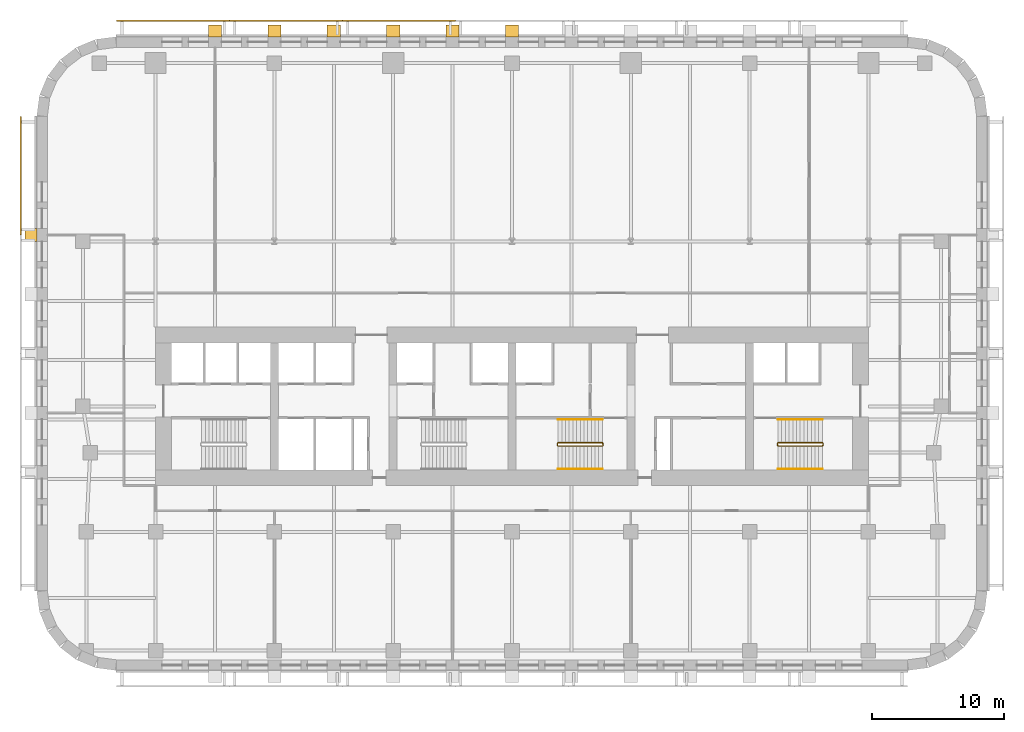
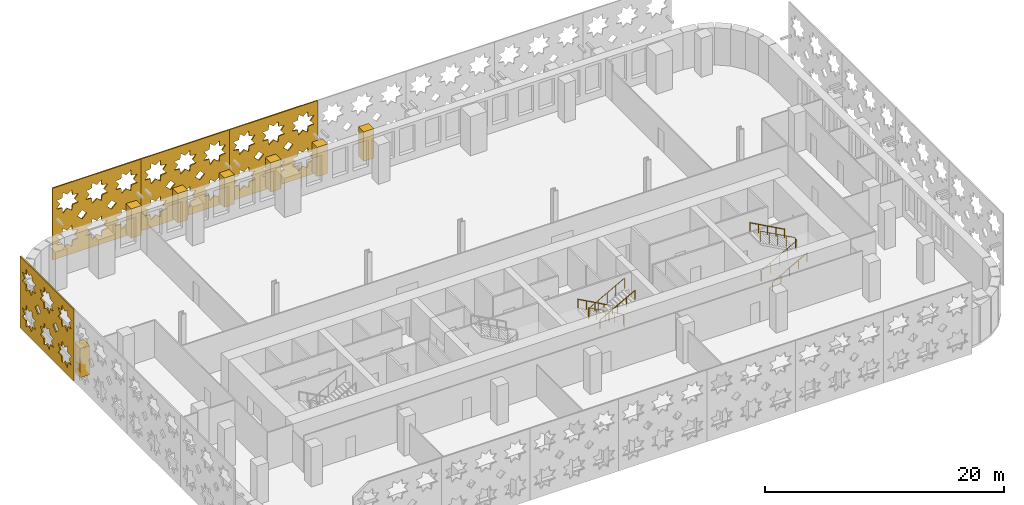
# One storey, part 11 of 13: 11 coverings, 6 railings.
"""IFC4 building model written with IfcOpenShell, lengths in metres."""

from ifc_helpers import new_model, si_unit, direction, frame, origin, origin_2d, place, context, subcontext, project, spatial, polyline, circle, outline, extrude, material, layer, layer_set, type_object, element, save


model = new_model("IFC4")

# Units and contexts
model_context = context("Model", 3, precision=1e-05, world=origin(), true_north=direction((0.0, 1.0)))
body_context = subcontext(model_context, "Body", "Model", "MODEL_VIEW")
ifc_project = project(units=[si_unit("LENGTHUNIT", "METRE"), si_unit("AREAUNIT", "SQUARE_METRE"), si_unit("VOLUMEUNIT", "CUBIC_METRE"), si_unit("PLANEANGLEUNIT", "RADIAN"), si_unit("MASSUNIT", "GRAM", prefix="KILO")], contexts=[model_context])

# Site, building, storey
site_placement = place(None, origin())
site = spatial("IfcSite", under=ifc_project, at=site_placement, CompositionType="ELEMENT")
building_placement = place(site_placement, origin())
building = spatial("IfcBuilding", under=site, at=building_placement, Name="Zellij Exchange Tower", CompositionType="ELEMENT")
storey_placement = place(building_placement, frame((0.0, 0.0, 60.5)))
storey = spatial("IfcBuildingStorey", under=building, at=storey_placement, Name="L11", CompositionType="ELEMENT", Elevation=60.5)

# Railings
ifc_material_1 = material(Name="Stainless steel", Category="steel")
railing_type_1 = type_object("IfcRailingType", Name="CORE-RG stair guard", PredefinedType="GUARDRAIL", material=ifc_material_1)
railing_1_placement = place(storey_placement, frame((6.89990234375, -10.800048828125, 0.0)))
element("IfcRailing", 1, at=railing_1_placement, inside=storey, type_object=railing_type_1, Name="ST3 stair guard L11", PredefinedType="GUARDRAIL", context=body_context, shape_type="SweptSolid", body=[
    extrude(circle(Radius=0.02392578125, at=origin_2d()), frame((0.0, 0.0, 1.076171875), z_axis=(0.0, -1.0, 0.0), x_axis=(1.0, 0.0, 0.0)), (0.0, 0.0, 1.0), 0.14990234375),
    extrude(circle(Radius=0.02392578125, at=origin_2d()), frame((0.0, -0.14990234375, 1.076171875), z_axis=(-0.193691321961, 0.777613689637, 0.598164376644), x_axis=(-0.970351222016, -0.241699205484, 0.0)), (0.0, 0.0, 1.0), 0.257080078125),
    extrude(circle(Radius=0.02392578125, at=origin_2d()), frame((-0.0498046875, 0.050048828125, 1.22998046875), z_axis=(-0.876421534553, 0.0, 0.481544695509), x_axis=(0.0, -1.0, 0.0)), (0.0, 0.0, 1.0), 3.833984375),
    extrude(circle(Radius=0.02392578125, at=origin_2d()), frame((-3.409912109375, 0.050048828125, 3.076171875), z_axis=(-0.707106781187, -0.707106781187, 0.0), x_axis=(0.707106781187, -0.707106781187, 0.0)), (0.0, 0.0, 1.0), 0.07080078125),
    extrude(circle(Radius=0.02392578125, at=origin_2d()), frame((-3.4599609375, 0.0, 3.076171875), z_axis=(0.0, -1.0, 0.0), x_axis=(1.0, 0.0, 0.0)), (0.0, 0.0, 1.0), 0.14990234375),
    extrude(circle(Radius=0.02392578125, at=origin_2d()), frame((-3.4599609375, -0.14990234375, 3.076171875), z_axis=(0.295599637079, -0.295599637079, 0.908428152975), x_axis=(0.707106781187, 0.707106781187, 0.0)), (0.0, 0.0, 1.0), 0.16943359375),
    extrude(circle(Radius=0.02392578125, at=origin_2d()), frame((-3.409912109375, -0.199951171875, 3.22998046875), z_axis=(0.876421534553, 0.0, 0.481544695509), x_axis=(0.0, 1.0, 0.0)), (0.0, 0.0, 1.0), 3.833984375),
    extrude(circle(Radius=0.02099609375, at=origin_2d()), origin(), (0.0, 0.0, 1.0), 1.052001953125),
    extrude(circle(Radius=0.02099609375, at=origin_2d()), frame((0.0, -0.14990234375, 0.0)), (0.0, 0.0, 1.0), 1.052001953125),
    extrude(circle(Radius=0.02099609375, at=origin_2d()), frame((-0.0498046875, 0.050048828125, 0.15380859375)), (0.0, 0.0, 1.0), 1.052001953125),
    extrude(circle(Radius=0.02099609375, at=origin_2d()), frame((-0.889892578125, 0.050048828125, 0.615234375)), (0.0, 0.0, 1.0), 1.052001953125),
    extrude(circle(Radius=0.02099609375, at=origin_2d()), frame((-1.72998046875, 0.050048828125, 1.076904296875)), (0.0, 0.0, 1.0), 1.052001953125),
    extrude(circle(Radius=0.02099609375, at=origin_2d()), frame((-2.56982421875, 0.050048828125, 1.53857421875)), (0.0, 0.0, 1.0), 1.052001953125),
    extrude(circle(Radius=0.02099609375, at=origin_2d()), frame((-3.409912109375, 0.050048828125, 2.0)), (0.0, 0.0, 1.0), 1.052001953125),
    extrude(circle(Radius=0.02099609375, at=origin_2d()), frame((-3.4599609375, 0.0, 2.0)), (0.0, 0.0, 1.0), 1.052001953125),
    extrude(circle(Radius=0.02099609375, at=origin_2d()), frame((-3.4599609375, -0.14990234375, 2.0)), (0.0, 0.0, 1.0), 1.052001953125),
    extrude(circle(Radius=0.02099609375, at=origin_2d()), frame((-3.409912109375, -0.199951171875, 2.15380859375)), (0.0, 0.0, 1.0), 1.052001953125),
    extrude(circle(Radius=0.02099609375, at=origin_2d()), frame((-2.56982421875, -0.199951171875, 2.615234375)), (0.0, 0.0, 1.0), 1.052001953125),
    extrude(circle(Radius=0.02099609375, at=origin_2d()), frame((-1.72998046875, -0.199951171875, 3.076904296875)), (0.0, 0.0, 1.0), 1.052001953125),
    extrude(circle(Radius=0.02099609375, at=origin_2d()), frame((-0.889892578125, -0.199951171875, 3.53857421875)), (0.0, 0.0, 1.0), 1.052001953125),
    extrude(circle(Radius=0.02099609375, at=origin_2d()), frame((-0.0498046875, -0.199951171875, 4.0)), (0.0, 0.0, 1.0), 1.052001953125),
])
railing_2_placement = place(storey_placement, frame((20.10009765625, -10.949951171875, 0.0)))
element("IfcRailing", 2, at=railing_2_placement, inside=storey, type_object=railing_type_1, Name="ST4 stair guard L11", PredefinedType="GUARDRAIL", context=body_context, shape_type="SweptSolid", body=[
    extrude(circle(Radius=0.02392578125, at=origin_2d()), frame((0.0, 0.0, 1.076171875), z_axis=(0.0, 1.0, 0.0), x_axis=(-1.0, 0.0, 0.0)), (0.0, 0.0, 1.0), 0.14990234375),
    extrude(circle(Radius=0.02392578125, at=origin_2d()), frame((0.0, 0.14990234375, 1.076171875), z_axis=(0.193691321961, -0.777613689637, 0.598164376644), x_axis=(0.970351222016, 0.241699205484, 0.0)), (0.0, 0.0, 1.0), 0.257080078125),
    extrude(circle(Radius=0.02392578125, at=origin_2d()), frame((0.0498046875, -0.050048828125, 1.22998046875), z_axis=(0.876421534553, 0.0, 0.481544695509), x_axis=(0.0, 1.0, 0.0)), (0.0, 0.0, 1.0), 3.833984375),
    extrude(circle(Radius=0.02392578125, at=origin_2d()), frame((3.409912109375, -0.050048828125, 3.076171875), z_axis=(0.707106781187, 0.707106781187, 0.0), x_axis=(-0.707106781187, 0.707106781187, 0.0)), (0.0, 0.0, 1.0), 0.07080078125),
    extrude(circle(Radius=0.02392578125, at=origin_2d()), frame((3.4599609375, 0.0, 3.076171875), z_axis=(0.0, 1.0, 0.0), x_axis=(-1.0, 0.0, 0.0)), (0.0, 0.0, 1.0), 0.14990234375),
    extrude(circle(Radius=0.02392578125, at=origin_2d()), frame((3.4599609375, 0.14990234375, 3.076171875), z_axis=(-0.295599637079, 0.295599637079, 0.908428152975), x_axis=(-0.707106781187, -0.707106781187, 0.0)), (0.0, 0.0, 1.0), 0.16943359375),
    extrude(circle(Radius=0.02392578125, at=origin_2d()), frame((3.409912109375, 0.199951171875, 3.22998046875), z_axis=(-0.876421534553, 0.0, 0.481544695509), x_axis=(0.0, -1.0, 0.0)), (0.0, 0.0, 1.0), 3.833984375),
    extrude(circle(Radius=0.02099609375, at=origin_2d()), origin(), (0.0, 0.0, 1.0), 1.052001953125),
    extrude(circle(Radius=0.02099609375, at=origin_2d()), frame((0.0, 0.14990234375, 0.0)), (0.0, 0.0, 1.0), 1.052001953125),
    extrude(circle(Radius=0.02099609375, at=origin_2d()), frame((0.0498046875, -0.050048828125, 0.15380859375)), (0.0, 0.0, 1.0), 1.052001953125),
    extrude(circle(Radius=0.02099609375, at=origin_2d()), frame((0.889892578125, -0.050048828125, 0.615234375)), (0.0, 0.0, 1.0), 1.052001953125),
    extrude(circle(Radius=0.02099609375, at=origin_2d()), frame((1.72998046875, -0.050048828125, 1.076904296875)), (0.0, 0.0, 1.0), 1.052001953125),
    extrude(circle(Radius=0.02099609375, at=origin_2d()), frame((2.56982421875, -0.050048828125, 1.53857421875)), (0.0, 0.0, 1.0), 1.052001953125),
    extrude(circle(Radius=0.02099609375, at=origin_2d()), frame((3.409912109375, -0.050048828125, 2.0)), (0.0, 0.0, 1.0), 1.052001953125),
    extrude(circle(Radius=0.02099609375, at=origin_2d()), frame((3.4599609375, 0.0, 2.0)), (0.0, 0.0, 1.0), 1.052001953125),
    extrude(circle(Radius=0.02099609375, at=origin_2d()), frame((3.4599609375, 0.14990234375, 2.0)), (0.0, 0.0, 1.0), 1.052001953125),
    extrude(circle(Radius=0.02099609375, at=origin_2d()), frame((3.409912109375, 0.199951171875, 2.15380859375)), (0.0, 0.0, 1.0), 1.052001953125),
    extrude(circle(Radius=0.02099609375, at=origin_2d()), frame((2.56982421875, 0.199951171875, 2.615234375)), (0.0, 0.0, 1.0), 1.052001953125),
    extrude(circle(Radius=0.02099609375, at=origin_2d()), frame((1.72998046875, 0.199951171875, 3.076904296875)), (0.0, 0.0, 1.0), 1.052001953125),
    extrude(circle(Radius=0.02099609375, at=origin_2d()), frame((0.889892578125, 0.199951171875, 3.53857421875)), (0.0, 0.0, 1.0), 1.052001953125),
    extrude(circle(Radius=0.02099609375, at=origin_2d()), frame((0.0498046875, 0.199951171875, 4.0)), (0.0, 0.0, 1.0), 1.052001953125),
])
railing_type_2 = type_object("IfcRailingType", Name="CORE-RH stair handrail", PredefinedType="HANDRAIL", material=ifc_material_1)
railing_3_placement = place(storey_placement, frame((6.85009765625, -9.0, 0.15380859375)))
element("IfcRailing", 3, at=railing_3_placement, inside=storey, type_object=railing_type_2, Name="ST3 stair handrail L11", PredefinedType="HANDRAIL", context=body_context, shape_type="SweptSolid", body=[
    extrude(circle(Radius=0.02392578125, at=origin_2d()), frame((0.0, 0.0, 0.8759765625), z_axis=(-0.876421534553, 0.0, 0.481544695509), x_axis=(0.0, -1.0, 0.0)), (0.0, 0.0, 1.0), 3.833984375),
    extrude(circle(Radius=0.02099609375, at=origin_2d()), origin(), (0.0, 0.0, 1.0), 0.851806640625),
    extrude(circle(Radius=0.02099609375, at=origin_2d()), frame((-0.840087890625, 0.0, 0.46142578125)), (0.0, 0.0, 1.0), 0.851806640625),
    extrude(circle(Radius=0.02099609375, at=origin_2d()), frame((-1.68017578125, 0.0, 0.923095703125)), (0.0, 0.0, 1.0), 0.851806640625),
    extrude(circle(Radius=0.02099609375, at=origin_2d()), frame((-2.52001953125, 0.0, 1.384765625)), (0.0, 0.0, 1.0), 0.851806640625),
    extrude(circle(Radius=0.02099609375, at=origin_2d()), frame((-3.360107421875, 0.0, 1.84619140625)), (0.0, 0.0, 1.0), 0.851806640625),
])
for number, where, name in (
    (4, (3.489990234375, -12.75, 2.15380859375), "ST3 stair handrail L11"),
    (5, (20.14990234375, -12.75, 0.15380859375), "ST4 stair handrail L11"),
):
    element("IfcRailing", number, at=place(storey_placement, frame(where)), inside=storey, type_object=railing_type_2, Name=name, PredefinedType="HANDRAIL", context=body_context, shape_type="SweptSolid", body=[
        extrude(circle(Radius=0.02392578125, at=origin_2d()), frame((0.0, 0.0, 0.8759765625), z_axis=(0.876421534553, 0.0, 0.481544695509), x_axis=(0.0, 1.0, 0.0)), (0.0, 0.0, 1.0), 3.833984375),
        extrude(circle(Radius=0.02099609375, at=origin_2d()), origin(), (0.0, 0.0, 1.0), 0.851806640625),
        extrude(circle(Radius=0.02099609375, at=origin_2d()), frame((0.840087890625, 0.0, 0.46142578125)), (0.0, 0.0, 1.0), 0.851806640625),
        extrude(circle(Radius=0.02099609375, at=origin_2d()), frame((1.68017578125, 0.0, 0.923095703125)), (0.0, 0.0, 1.0), 0.851806640625),
        extrude(circle(Radius=0.02099609375, at=origin_2d()), frame((2.52001953125, 0.0, 1.384765625)), (0.0, 0.0, 1.0), 0.851806640625),
        extrude(circle(Radius=0.02099609375, at=origin_2d()), frame((3.360107421875, 0.0, 1.84619140625)), (0.0, 0.0, 1.0), 0.851806640625),
    ])
railing_4_placement = place(storey_placement, frame((23.510009765625, -9.0, 2.15380859375)))
element("IfcRailing", 6, at=railing_4_placement, inside=storey, type_object=railing_type_2, Name="ST4 stair handrail L11", PredefinedType="HANDRAIL", context=body_context, shape_type="SweptSolid", body=[
    extrude(circle(Radius=0.02392578125, at=origin_2d()), frame((0.0, 0.0, 0.8759765625), z_axis=(-0.876421534553, 0.0, 0.481544695509), x_axis=(0.0, -1.0, 0.0)), (0.0, 0.0, 1.0), 3.833984375),
    extrude(circle(Radius=0.02099609375, at=origin_2d()), origin(), (0.0, 0.0, 1.0), 0.851806640625),
    extrude(circle(Radius=0.02099609375, at=origin_2d()), frame((-0.840087890625, 0.0, 0.46142578125)), (0.0, 0.0, 1.0), 0.851806640625),
    extrude(circle(Radius=0.02099609375, at=origin_2d()), frame((-1.68017578125, 0.0, 0.923095703125)), (0.0, 0.0, 1.0), 0.851806640625),
    extrude(circle(Radius=0.02099609375, at=origin_2d()), frame((-2.52001953125, 0.0, 1.384765625)), (0.0, 0.0, 1.0), 0.851806640625),
    extrude(circle(Radius=0.02099609375, at=origin_2d()), frame((-3.360107421875, 0.0, 1.84619140625)), (0.0, 0.0, 1.0), 0.851806640625),
])

# Coverings
ifc_material_2 = material(Name="Limestone cladding", Category="masonry")
covering_type_1 = type_object("IfcCoveringType", Name="ENV-CV2 Stone pier 1000x900", PredefinedType="CLADDING", material=ifc_material_2)
covering_1_placement = place(storey_placement, frame((0.0, 0.0, 0.800048828125)))
element("IfcCovering", 7, at=covering_1_placement, inside=storey, type_object=covering_type_1, Name="Stone pier", PredefinedType="CLADDING", context=body_context, shape_type="SweptSolid", body=[
    extrude(outline(polyline([(0.5, 20.0), (-0.5, 20.0), (-0.5, 20.89990234375), (0.5, 20.89990234375), (0.5, 20.0)])), origin(), (0.0, 0.0, 1.0), 3.0),
])
covering_2_placement = place(storey_placement, frame((0.0, 0.0, 0.800048828125)))
element("IfcCovering", 8, at=covering_2_placement, inside=storey, type_object=covering_type_1, Name="Stone pier", PredefinedType="CLADDING", context=body_context, shape_type="SweptSolid", body=[
    extrude(outline(polyline([(-4.0, 20.0), (-5.0, 20.0), (-5.0, 20.89990234375), (-4.0, 20.89990234375), (-4.0, 20.0)])), origin(), (0.0, 0.0, 1.0), 3.0),
])
covering_3_placement = place(storey_placement, frame((0.0, 0.0, 0.800048828125)))
element("IfcCovering", 9, at=covering_3_placement, inside=storey, type_object=covering_type_1, Name="Stone pier", PredefinedType="CLADDING", context=body_context, shape_type="SweptSolid", body=[
    extrude(outline(polyline([(-8.5, 20.0), (-9.5, 20.0), (-9.5, 20.89990234375), (-8.5, 20.89990234375), (-8.5, 20.0)])), origin(), (0.0, 0.0, 1.0), 3.0),
])
covering_4_placement = place(storey_placement, frame((0.0, 0.0, 0.800048828125)))
element("IfcCovering", 10, at=covering_4_placement, inside=storey, type_object=covering_type_1, Name="Stone pier", PredefinedType="CLADDING", context=body_context, shape_type="SweptSolid", body=[
    extrude(outline(polyline([(-13.0, 20.0), (-14.0, 20.0), (-14.0, 20.89990234375), (-13.0, 20.89990234375), (-13.0, 20.0)])), origin(), (0.0, 0.0, 1.0), 3.0),
])
covering_5_placement = place(storey_placement, frame((0.0, 0.0, 0.800048828125)))
element("IfcCovering", 11, at=covering_5_placement, inside=storey, type_object=covering_type_1, Name="Stone pier", PredefinedType="CLADDING", context=body_context, shape_type="SweptSolid", body=[
    extrude(outline(polyline([(-17.5, 20.0), (-18.5, 20.0), (-18.5, 20.89990234375), (-17.5, 20.89990234375), (-17.5, 20.0)])), origin(), (0.0, 0.0, 1.0), 3.0),
])
covering_6_placement = place(storey_placement, frame((0.0, 0.0, 0.800048828125)))
element("IfcCovering", 12, at=covering_6_placement, inside=storey, type_object=covering_type_1, Name="Stone pier", PredefinedType="CLADDING", context=body_context, shape_type="SweptSolid", body=[
    extrude(outline(polyline([(-22.0, 20.0), (-23.0, 20.0), (-23.0, 20.89990234375), (-22.0, 20.89990234375), (-22.0, 20.0)])), origin(), (0.0, 0.0, 1.0), 3.0),
])
covering_7_placement = place(storey_placement, frame((0.0, 0.0, 0.800048828125)))
element("IfcCovering", 13, at=covering_7_placement, inside=storey, type_object=covering_type_1, Name="Stone pier", PredefinedType="CLADDING", context=body_context, shape_type="SweptSolid", body=[
    extrude(outline(polyline([(-36.0, 5.48681640625), (-36.0, 4.48681640625), (-36.89990234375, 4.48681640625), (-36.89990234375, 5.48681640625), (-36.0, 5.48681640625)])), origin(), (0.0, 0.0, 1.0), 3.0),
])
ifc_material_3 = material(Name="Limestone screen", Category="masonry")
ifc_layer = layer(ifc_material_3, 0.1201171875)
ifc_layer_set = layer_set([ifc_layer], Name="Limestone screen")
covering_type_2 = type_object("IfcCoveringType", Name="ENV-SC1 Pierced stone screen 120", PredefinedType="USERDEFINED", material=ifc_layer_set)
covering_8_placement = place(storey_placement, frame((-37.2099609375, 13.947509765625, 0.300048828125), z_axis=(0.0, 0.0, 1.0), x_axis=(0.0, -1.0, 0.0)))
element("IfcCovering", 14, at=covering_8_placement, inside=storey, type_object=covering_type_2, Name="Pierced stone screen", ObjectType="SCREEN", PredefinedType="USERDEFINED", context=body_context, shape_type="SweptSolid", body=[
    extrude(outline(polyline([(0.0, 0.0), (8.973876953125, 0.0), (8.973876953125, 7.35009765625), (0.0, 7.35009765625), (0.0, 0.0)]), holes=[polyline([(2.60107421875, 2.29541015625), (2.020263671875, 2.362060546875), (1.95361328125, 2.94287109375), (1.49560546875, 2.579345703125), (1.03759765625, 2.94287109375), (0.97119140625, 2.362060546875), (0.39013671875, 2.29541015625), (0.75390625, 1.83740234375), (0.39013671875, 1.379638671875), (0.97119140625, 1.31298828125), (1.03759765625, 0.732177734375), (1.49560546875, 1.095703125), (1.95361328125, 0.732177734375), (2.020263671875, 1.31298828125), (2.60107421875, 1.379638671875), (2.237548828125, 1.83740234375), (2.60107421875, 2.29541015625)]), polyline([(2.60107421875, 5.970458984375), (2.020263671875, 6.037109375), (1.95361328125, 6.617919921875), (1.49560546875, 6.25439453125), (1.03759765625, 6.617919921875), (0.97119140625, 6.037109375), (0.39013671875, 5.970458984375), (0.75390625, 5.512451171875), (0.39013671875, 5.0546875), (0.97119140625, 4.98779296875), (1.03759765625, 4.406982421875), (1.49560546875, 4.770751953125), (1.95361328125, 4.406982421875), (2.020263671875, 4.98779296875), (2.60107421875, 5.0546875), (2.237548828125, 5.512451171875), (2.60107421875, 5.970458984375)]), polyline([(5.59228515625, 2.29541015625), (5.011474609375, 2.362060546875), (4.94482421875, 2.94287109375), (4.48681640625, 2.579345703125), (4.029052734375, 2.94287109375), (3.96240234375, 2.362060546875), (3.381591796875, 2.29541015625), (3.7451171875, 1.83740234375), (3.381591796875, 1.379638671875), (3.96240234375, 1.31298828125), (4.029052734375, 0.732177734375), (4.48681640625, 1.095703125), (4.94482421875, 0.732177734375), (5.011474609375, 1.31298828125), (5.59228515625, 1.379638671875), (5.228759765625, 1.83740234375), (5.59228515625, 2.29541015625)]), polyline([(5.59228515625, 5.970458984375), (5.011474609375, 6.037109375), (4.94482421875, 6.617919921875), (4.48681640625, 6.25439453125), (4.029052734375, 6.617919921875), (3.96240234375, 6.037109375), (3.381591796875, 5.970458984375), (3.7451171875, 5.512451171875), (3.381591796875, 5.0546875), (3.96240234375, 4.98779296875), (4.029052734375, 4.406982421875), (4.48681640625, 4.770751953125), (4.94482421875, 4.406982421875), (5.011474609375, 4.98779296875), (5.59228515625, 5.0546875), (5.228759765625, 5.512451171875), (5.59228515625, 5.970458984375)]), polyline([(8.58349609375, 2.29541015625), (8.002685546875, 2.362060546875), (7.93603515625, 2.94287109375), (7.478271484375, 2.579345703125), (7.020263671875, 2.94287109375), (6.95361328125, 2.362060546875), (6.372802734375, 2.29541015625), (6.736328125, 1.83740234375), (6.372802734375, 1.379638671875), (6.95361328125, 1.31298828125), (7.020263671875, 0.732177734375), (7.478271484375, 1.095703125), (7.93603515625, 0.732177734375), (8.002685546875, 1.31298828125), (8.58349609375, 1.379638671875), (8.219970703125, 1.83740234375), (8.58349609375, 2.29541015625)]), polyline([(8.58349609375, 5.970458984375), (8.002685546875, 6.037109375), (7.93603515625, 6.617919921875), (7.478271484375, 6.25439453125), (7.020263671875, 6.617919921875), (6.95361328125, 6.037109375), (6.372802734375, 5.970458984375), (6.736328125, 5.512451171875), (6.372802734375, 5.0546875), (6.95361328125, 4.98779296875), (7.020263671875, 4.406982421875), (7.478271484375, 4.770751953125), (7.93603515625, 4.406982421875), (8.002685546875, 4.98779296875), (8.58349609375, 5.0546875), (8.219970703125, 5.512451171875), (8.58349609375, 5.970458984375)]), polyline([(3.469970703125, 3.675048828125), (2.9912109375, 4.153564453125), (2.5126953125, 3.675048828125), (2.9912109375, 3.1962890625), (3.469970703125, 3.675048828125)]), polyline([(6.461181640625, 3.675048828125), (5.982421875, 4.153564453125), (5.50390625, 3.675048828125), (5.982421875, 3.1962890625), (6.461181640625, 3.675048828125)])]), frame((0.0, 0.06005859375, 0.0), z_axis=(0.0, -1.0, 0.0), x_axis=(1.0, 0.0, 0.0)), (0.0, 0.0, 1.0), 0.1201171875),
])
covering_9_placement = place(storey_placement, frame((-4.2783203125, 21.2099609375, 0.300048828125), z_axis=(0.0, 0.0, 1.0), x_axis=(-1.0, 0.0, 0.0)))
element("IfcCovering", 15, at=covering_9_placement, inside=storey, type_object=covering_type_2, Name="Pierced stone screen", ObjectType="SCREEN", PredefinedType="USERDEFINED", context=body_context, shape_type="SweptSolid", body=[
    extrude(outline(polyline([(0.0, 0.0), (8.556396484375, 0.0), (8.556396484375, 7.35009765625), (0.0, 7.35009765625), (0.0, 0.0)]), holes=[polyline([(2.47998046875, 2.274169921875), (1.92626953125, 2.337646484375), (1.86279296875, 2.8916015625), (1.426025390625, 2.544921875), (0.989501953125, 2.8916015625), (0.92578125, 2.337646484375), (0.3720703125, 2.274169921875), (0.71875, 1.83740234375), (0.3720703125, 1.40087890625), (0.92578125, 1.33740234375), (0.989501953125, 0.783447265625), (1.426025390625, 1.130126953125), (1.86279296875, 0.783447265625), (1.92626953125, 1.33740234375), (2.47998046875, 1.40087890625), (2.13330078125, 1.83740234375), (2.47998046875, 2.274169921875)]), polyline([(2.47998046875, 5.94921875), (1.92626953125, 6.0126953125), (1.86279296875, 6.56640625), (1.426025390625, 6.2197265625), (0.989501953125, 6.56640625), (0.92578125, 6.0126953125), (0.3720703125, 5.94921875), (0.71875, 5.512451171875), (0.3720703125, 5.075927734375), (0.92578125, 5.01220703125), (0.989501953125, 4.45849609375), (1.426025390625, 4.80517578125), (1.86279296875, 4.45849609375), (1.92626953125, 5.01220703125), (2.47998046875, 5.075927734375), (2.13330078125, 5.512451171875), (2.47998046875, 5.94921875)]), polyline([(5.332275390625, 2.274169921875), (4.7783203125, 2.337646484375), (4.71484375, 2.8916015625), (4.2783203125, 2.544921875), (3.841552734375, 2.8916015625), (3.778076171875, 2.337646484375), (3.22412109375, 2.274169921875), (3.57080078125, 1.83740234375), (3.22412109375, 1.40087890625), (3.778076171875, 1.33740234375), (3.841552734375, 0.783447265625), (4.2783203125, 1.130126953125), (4.71484375, 0.783447265625), (4.7783203125, 1.33740234375), (5.332275390625, 1.40087890625), (4.985595703125, 1.83740234375), (5.332275390625, 2.274169921875)]), polyline([(5.332275390625, 5.94921875), (4.7783203125, 6.0126953125), (4.71484375, 6.56640625), (4.2783203125, 6.2197265625), (3.841552734375, 6.56640625), (3.778076171875, 6.0126953125), (3.22412109375, 5.94921875), (3.57080078125, 5.512451171875), (3.22412109375, 5.075927734375), (3.778076171875, 5.01220703125), (3.841552734375, 4.45849609375), (4.2783203125, 4.80517578125), (4.71484375, 4.45849609375), (4.7783203125, 5.01220703125), (5.332275390625, 5.075927734375), (4.985595703125, 5.512451171875), (5.332275390625, 5.94921875)]), polyline([(8.184326171875, 2.274169921875), (7.630615234375, 2.337646484375), (7.56689453125, 2.8916015625), (7.13037109375, 2.544921875), (6.69384765625, 2.8916015625), (6.630126953125, 2.337646484375), (6.076416015625, 2.274169921875), (6.423095703125, 1.83740234375), (6.076416015625, 1.40087890625), (6.630126953125, 1.33740234375), (6.69384765625, 0.783447265625), (7.13037109375, 1.130126953125), (7.56689453125, 0.783447265625), (7.630615234375, 1.33740234375), (8.184326171875, 1.40087890625), (7.837646484375, 1.83740234375), (8.184326171875, 2.274169921875)]), polyline([(8.184326171875, 5.94921875), (7.630615234375, 6.0126953125), (7.56689453125, 6.56640625), (7.13037109375, 6.2197265625), (6.69384765625, 6.56640625), (6.630126953125, 6.0126953125), (6.076416015625, 5.94921875), (6.423095703125, 5.512451171875), (6.076416015625, 5.075927734375), (6.630126953125, 5.01220703125), (6.69384765625, 4.45849609375), (7.13037109375, 4.80517578125), (7.56689453125, 4.45849609375), (7.630615234375, 5.01220703125), (8.184326171875, 5.075927734375), (7.837646484375, 5.512451171875), (8.184326171875, 5.94921875)]), polyline([(3.30859375, 3.675048828125), (2.852294921875, 4.13134765625), (2.395751953125, 3.675048828125), (2.852294921875, 3.21875), (3.30859375, 3.675048828125)]), polyline([(6.16064453125, 3.675048828125), (5.704345703125, 4.13134765625), (5.248046875, 3.675048828125), (5.704345703125, 3.21875), (6.16064453125, 3.675048828125)])]), frame((0.0, 0.06005859375, 0.0), z_axis=(0.0, -1.0, 0.0), x_axis=(1.0, 0.0, 0.0)), (0.0, 0.0, 1.0), 0.1201171875),
])
covering_10_placement = place(storey_placement, frame((-12.834716796875, 21.2099609375, 0.300048828125), z_axis=(0.0, 0.0, 1.0), x_axis=(-1.0, 0.0, 0.0)))
element("IfcCovering", 16, at=covering_10_placement, inside=storey, type_object=covering_type_2, Name="Pierced stone screen", ObjectType="SCREEN", PredefinedType="USERDEFINED", context=body_context, shape_type="SweptSolid", body=[
    extrude(outline(polyline([(0.0, 0.0), (8.556396484375, 0.0), (8.556396484375, 7.35009765625), (0.0, 7.35009765625), (0.0, 0.0)]), holes=[polyline([(2.47998046875, 2.274169921875), (1.92626953125, 2.337646484375), (1.86279296875, 2.8916015625), (1.426025390625, 2.544921875), (0.989501953125, 2.8916015625), (0.92578125, 2.337646484375), (0.3720703125, 2.274169921875), (0.71875, 1.83740234375), (0.3720703125, 1.40087890625), (0.92578125, 1.33740234375), (0.989501953125, 0.783447265625), (1.426025390625, 1.130126953125), (1.86279296875, 0.783447265625), (1.92626953125, 1.33740234375), (2.47998046875, 1.40087890625), (2.13330078125, 1.83740234375), (2.47998046875, 2.274169921875)]), polyline([(2.47998046875, 5.94921875), (1.92626953125, 6.0126953125), (1.86279296875, 6.56640625), (1.426025390625, 6.2197265625), (0.989501953125, 6.56640625), (0.92578125, 6.0126953125), (0.3720703125, 5.94921875), (0.71875, 5.512451171875), (0.3720703125, 5.075927734375), (0.92578125, 5.01220703125), (0.989501953125, 4.45849609375), (1.426025390625, 4.80517578125), (1.86279296875, 4.45849609375), (1.92626953125, 5.01220703125), (2.47998046875, 5.075927734375), (2.13330078125, 5.512451171875), (2.47998046875, 5.94921875)]), polyline([(5.332275390625, 2.274169921875), (4.7783203125, 2.337646484375), (4.71484375, 2.8916015625), (4.2783203125, 2.544921875), (3.841552734375, 2.8916015625), (3.778076171875, 2.337646484375), (3.22412109375, 2.274169921875), (3.57080078125, 1.83740234375), (3.22412109375, 1.40087890625), (3.778076171875, 1.33740234375), (3.841552734375, 0.783447265625), (4.2783203125, 1.130126953125), (4.71484375, 0.783447265625), (4.7783203125, 1.33740234375), (5.332275390625, 1.40087890625), (4.985595703125, 1.83740234375), (5.332275390625, 2.274169921875)]), polyline([(5.332275390625, 5.94921875), (4.7783203125, 6.0126953125), (4.71484375, 6.56640625), (4.2783203125, 6.2197265625), (3.841552734375, 6.56640625), (3.778076171875, 6.0126953125), (3.22412109375, 5.94921875), (3.57080078125, 5.512451171875), (3.22412109375, 5.075927734375), (3.778076171875, 5.01220703125), (3.841552734375, 4.45849609375), (4.2783203125, 4.80517578125), (4.71484375, 4.45849609375), (4.7783203125, 5.01220703125), (5.332275390625, 5.075927734375), (4.985595703125, 5.512451171875), (5.332275390625, 5.94921875)]), polyline([(8.184326171875, 2.274169921875), (7.630615234375, 2.337646484375), (7.56689453125, 2.8916015625), (7.13037109375, 2.544921875), (6.69384765625, 2.8916015625), (6.630126953125, 2.337646484375), (6.076416015625, 2.274169921875), (6.423095703125, 1.83740234375), (6.076416015625, 1.40087890625), (6.630126953125, 1.33740234375), (6.69384765625, 0.783447265625), (7.13037109375, 1.130126953125), (7.56689453125, 0.783447265625), (7.630615234375, 1.33740234375), (8.184326171875, 1.40087890625), (7.837646484375, 1.83740234375), (8.184326171875, 2.274169921875)]), polyline([(8.184326171875, 5.94921875), (7.630615234375, 6.0126953125), (7.56689453125, 6.56640625), (7.13037109375, 6.2197265625), (6.69384765625, 6.56640625), (6.630126953125, 6.0126953125), (6.076416015625, 5.94921875), (6.423095703125, 5.512451171875), (6.076416015625, 5.075927734375), (6.630126953125, 5.01220703125), (6.69384765625, 4.45849609375), (7.13037109375, 4.80517578125), (7.56689453125, 4.45849609375), (7.630615234375, 5.01220703125), (8.184326171875, 5.075927734375), (7.837646484375, 5.512451171875), (8.184326171875, 5.94921875)]), polyline([(3.30859375, 3.675048828125), (2.852294921875, 4.13134765625), (2.395751953125, 3.675048828125), (2.852294921875, 3.21875), (3.30859375, 3.675048828125)]), polyline([(6.16064453125, 3.675048828125), (5.704345703125, 4.13134765625), (5.248046875, 3.675048828125), (5.704345703125, 3.21875), (6.16064453125, 3.675048828125)])]), frame((0.0, 0.06005859375, 0.0), z_axis=(0.0, -1.0, 0.0), x_axis=(1.0, 0.0, 0.0)), (0.0, 0.0, 1.0), 0.1201171875),
])
covering_11_placement = place(storey_placement, frame((-21.39111328125, 21.2099609375, 0.300048828125), z_axis=(0.0, 0.0, 1.0), x_axis=(-1.0, 0.0, 0.0)))
element("IfcCovering", 17, at=covering_11_placement, inside=storey, type_object=covering_type_2, Name="Pierced stone screen", ObjectType="SCREEN", PredefinedType="USERDEFINED", context=body_context, shape_type="SweptSolid", body=[
    extrude(outline(polyline([(0.0, 0.0), (8.556396484375, 0.0), (8.556396484375, 7.35009765625), (0.0, 7.35009765625), (0.0, 0.0)]), holes=[polyline([(2.47998046875, 2.274169921875), (1.92626953125, 2.337646484375), (1.86279296875, 2.8916015625), (1.426025390625, 2.544921875), (0.989501953125, 2.8916015625), (0.92578125, 2.337646484375), (0.3720703125, 2.274169921875), (0.71875, 1.83740234375), (0.3720703125, 1.40087890625), (0.92578125, 1.33740234375), (0.989501953125, 0.783447265625), (1.426025390625, 1.130126953125), (1.86279296875, 0.783447265625), (1.92626953125, 1.33740234375), (2.47998046875, 1.40087890625), (2.13330078125, 1.83740234375), (2.47998046875, 2.274169921875)]), polyline([(2.47998046875, 5.94921875), (1.92626953125, 6.0126953125), (1.86279296875, 6.56640625), (1.426025390625, 6.2197265625), (0.989501953125, 6.56640625), (0.92578125, 6.0126953125), (0.3720703125, 5.94921875), (0.71875, 5.512451171875), (0.3720703125, 5.075927734375), (0.92578125, 5.01220703125), (0.989501953125, 4.45849609375), (1.426025390625, 4.80517578125), (1.86279296875, 4.45849609375), (1.92626953125, 5.01220703125), (2.47998046875, 5.075927734375), (2.13330078125, 5.512451171875), (2.47998046875, 5.94921875)]), polyline([(5.332275390625, 2.274169921875), (4.7783203125, 2.337646484375), (4.71484375, 2.8916015625), (4.2783203125, 2.544921875), (3.841552734375, 2.8916015625), (3.778076171875, 2.337646484375), (3.22412109375, 2.274169921875), (3.57080078125, 1.83740234375), (3.22412109375, 1.40087890625), (3.778076171875, 1.33740234375), (3.841552734375, 0.783447265625), (4.2783203125, 1.130126953125), (4.71484375, 0.783447265625), (4.7783203125, 1.33740234375), (5.332275390625, 1.40087890625), (4.985595703125, 1.83740234375), (5.332275390625, 2.274169921875)]), polyline([(5.332275390625, 5.94921875), (4.7783203125, 6.0126953125), (4.71484375, 6.56640625), (4.2783203125, 6.2197265625), (3.841552734375, 6.56640625), (3.778076171875, 6.0126953125), (3.22412109375, 5.94921875), (3.57080078125, 5.512451171875), (3.22412109375, 5.075927734375), (3.778076171875, 5.01220703125), (3.841552734375, 4.45849609375), (4.2783203125, 4.80517578125), (4.71484375, 4.45849609375), (4.7783203125, 5.01220703125), (5.332275390625, 5.075927734375), (4.985595703125, 5.512451171875), (5.332275390625, 5.94921875)]), polyline([(8.184326171875, 2.274169921875), (7.630615234375, 2.337646484375), (7.56689453125, 2.8916015625), (7.13037109375, 2.544921875), (6.69384765625, 2.8916015625), (6.630126953125, 2.337646484375), (6.076416015625, 2.274169921875), (6.423095703125, 1.83740234375), (6.076416015625, 1.40087890625), (6.630126953125, 1.33740234375), (6.69384765625, 0.783447265625), (7.13037109375, 1.130126953125), (7.56689453125, 0.783447265625), (7.630615234375, 1.33740234375), (8.184326171875, 1.40087890625), (7.837646484375, 1.83740234375), (8.184326171875, 2.274169921875)]), polyline([(8.184326171875, 5.94921875), (7.630615234375, 6.0126953125), (7.56689453125, 6.56640625), (7.13037109375, 6.2197265625), (6.69384765625, 6.56640625), (6.630126953125, 6.0126953125), (6.076416015625, 5.94921875), (6.423095703125, 5.512451171875), (6.076416015625, 5.075927734375), (6.630126953125, 5.01220703125), (6.69384765625, 4.45849609375), (7.13037109375, 4.80517578125), (7.56689453125, 4.45849609375), (7.630615234375, 5.01220703125), (8.184326171875, 5.075927734375), (7.837646484375, 5.512451171875), (8.184326171875, 5.94921875)]), polyline([(3.30859375, 3.675048828125), (2.852294921875, 4.13134765625), (2.395751953125, 3.675048828125), (2.852294921875, 3.21875), (3.30859375, 3.675048828125)]), polyline([(6.16064453125, 3.675048828125), (5.704345703125, 4.13134765625), (5.248046875, 3.675048828125), (5.704345703125, 3.21875), (6.16064453125, 3.675048828125)])]), frame((0.0, 0.06005859375, 0.0), z_axis=(0.0, -1.0, 0.0), x_axis=(1.0, 0.0, 0.0)), (0.0, 0.0, 1.0), 0.1201171875),
])

save(model, "model.ifc")
